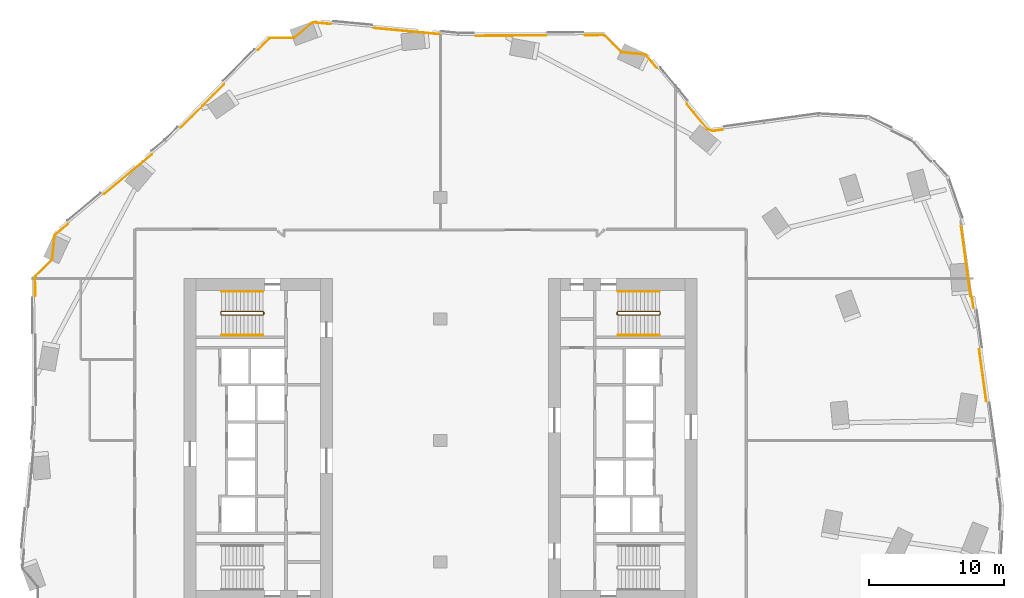
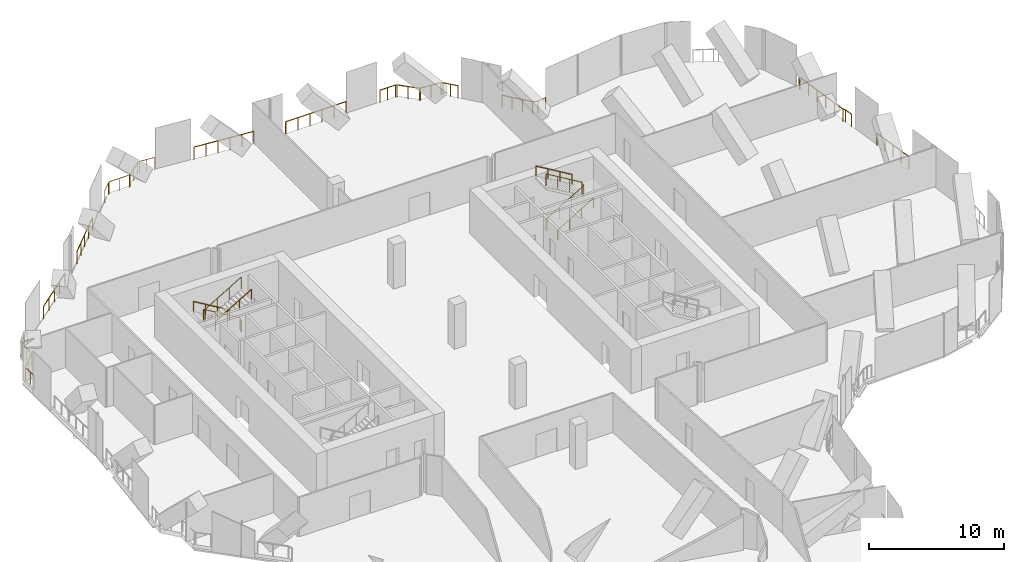
# One storey, part 28 of 29: 16 railings.
"""IFC4 building model written with IfcOpenShell, lengths in metres."""

import ifcopenshell
import ifcopenshell.guid

model = None  # the IFC model being written
_history = None  # IfcOwnerHistory: only IFC2X3 demands one
_inside = {}  # id of a spatial element -> (the spatial element, [elements in it])
_under = {}  # id of a project, library or spatial element -> (it, [spatial elements below it])
_declared = {}  # id of a project -> (the project, [libraries it declares])
_typed = {}  # id of a type object -> (the type object, [elements of that type])
_made_of = {}  # id of a material, layer set ... -> (it, [elements and type objects made of it])


def new_model(schema):
    """Start an empty IFC model of exactly this schema.

    Asked for "IFC4X3", IfcOpenShell would pick the latest addendum, in which some entities
    have other attributes; the version numbers below select the first issue.
    IFC2X3 requires an IfcOwnerHistory on every rooted entity: one is made here for all.
    """
    global model, _history
    if schema == "IFC4X3":
        model = ifcopenshell.file(schema_version=(4, 3, 0, 0))
    else:
        model = ifcopenshell.file(schema=schema)
    _inside.clear()
    _under.clear()
    _declared.clear()
    _typed.clear()
    _made_of.clear()
    _history = None
    if model.schema == "IFC2X3":
        org = make("IfcOrganization", Name="unknown")
        user = make(
            "IfcPersonAndOrganization",
            ThePerson=make("IfcPerson", FamilyName="unknown"),
            TheOrganization=org,
        )
        app = make(
            "IfcApplication",
            ApplicationDeveloper=org,
            Version="unknown",
            ApplicationFullName="unknown",
            ApplicationIdentifier="unknown",
        )
        _history = make(
            "IfcOwnerHistory",
            OwningUser=user,
            OwningApplication=app,
            ChangeAction="ADDED",
            CreationDate=0,
        )
    return model


def make(cls, **values):
    """One entity of the class cls with the attributes given. An attribute that is None is left unset."""
    return model.create_entity(
        cls, **{name: value for name, value in values.items() if value is not None}
    )


def rooted(cls, **values):
    """An entity with a GlobalId (a new one), such as an element, a storey or a relation."""
    return make(cls, GlobalId=ifcopenshell.guid.new(), OwnerHistory=_history, **values)


def si_unit(unit_type, name, prefix=None):
    """IfcSIUnit, for example si_unit("LENGTHUNIT", "METRE", prefix="MILLI")."""
    return make("IfcSIUnit", UnitType=unit_type, Prefix=prefix, Name=name)


def assignment(units):
    """IfcUnitAssignment: the units of a project."""
    return None if units is None else make("IfcUnitAssignment", Units=units)


def point(xyz):
    """IfcCartesianPoint."""
    return None if xyz is None else make("IfcCartesianPoint", Coordinates=xyz)


def direction(xyz):
    """IfcDirection."""
    return None if xyz is None else make("IfcDirection", DirectionRatios=xyz)


def frame(location, z_axis=None, x_axis=None):
    """IfcAxis2Placement3D, a coordinate frame: its origin and axes. An axis left out is left unset."""
    return make(
        "IfcAxis2Placement3D",
        Location=point(location),
        Axis=direction(z_axis),
        RefDirection=direction(x_axis),
    )


def frame_2d(location, x_axis=None):
    """IfcAxis2Placement2D, a coordinate frame in the plane: its origin and x axis."""
    return make(
        "IfcAxis2Placement2D", Location=point(location), RefDirection=direction(x_axis)
    )


def origin():
    """The frame at (0, 0, 0) with its axes left unset."""
    return frame((0.0, 0.0, 0.0))


def origin_2d():
    """The frame at (0, 0) in the plane with its x axis left unset."""
    return frame_2d((0.0, 0.0))


def place(relative_to, where):
    """IfcLocalPlacement: puts the frame where relative to a parent placement (None: the world)."""
    return make(
        "IfcLocalPlacement", PlacementRelTo=relative_to, RelativePlacement=where
    )


def context(
    kind, dimensions, precision=None, world=None, true_north=None, identifier=None
):
    """IfcGeometricRepresentationContext, for example the 3D "Model" context."""
    return make(
        "IfcGeometricRepresentationContext",
        ContextIdentifier=identifier,
        ContextType=kind,
        CoordinateSpaceDimension=dimensions,
        Precision=precision,
        WorldCoordinateSystem=world,
        TrueNorth=true_north,
    )


def subcontext(parent, identifier, kind, view, scale=None):
    """IfcGeometricRepresentationSubContext, for example "Body" below "Model"."""
    return make(
        "IfcGeometricRepresentationSubContext",
        ContextIdentifier=identifier,
        ContextType=kind,
        ParentContext=parent,
        TargetScale=scale,
        TargetView=view,
    )


def project(units=None, contexts=None):
    """IfcProject with its units and contexts."""
    return rooted(
        "IfcProject",
        Name="project",
        RepresentationContexts=contexts,
        UnitsInContext=assignment(units),
    )


def spatial(cls, under=None, at=None, **own):
    """A site, building, storey or space (cls), placed at a placement, below another one or the project."""
    s = rooted(cls, ObjectPlacement=at, **own)
    if under is not None:
        _under.setdefault(under.id(), (under, []))[1].append(s)
    return s


def profile(cls, at=None, kind="AREA", **sizes):
    """A parametric profile (cls). Its sizes go by their IFC names, for example OverallWidth=200.0."""
    return make(cls, ProfileType=kind, Position=at, **sizes)


def circle(**sizes):
    """IfcCircleProfileDef."""
    return profile("IfcCircleProfileDef", **sizes)


def extrude(swept, where, along, depth):
    """IfcExtrudedAreaSolid: the profile swept, set in the frame where, extruded along a direction by depth."""
    return make(
        "IfcExtrudedAreaSolid",
        SweptArea=swept,
        Position=where,
        ExtrudedDirection=direction(along),
        Depth=depth,
    )


def shape(context_of_items, identifier, shape_type, items):
    """IfcShapeRepresentation: the items that make up one representation, for example the "Body"."""
    return make(
        "IfcShapeRepresentation",
        ContextOfItems=context_of_items,
        RepresentationIdentifier=identifier,
        RepresentationType=shape_type,
        Items=items,
    )


def material(Name=None, Category=None):
    """IfcMaterial."""
    return make("IfcMaterial", Name=Name, Category=Category)


def made_of(thing, what):
    """Note that an element or type object is made of a material, layer set ...; save() writes the relation."""
    if what is not None:
        _made_of.setdefault(what.id(), (what, []))[1].append(thing)
    return thing


def type_object(cls, material=None, **own):
    """A type object (cls), such as IfcWallType, which elements share."""
    return made_of(rooted(cls, **own), material)


def element(
    cls,
    number,
    at=None,
    inside=None,
    cuts=None,
    type_object=None,
    material=None,
    context=None,
    identifier="Body",
    shape_type=None,
    held_by="IfcProductDefinitionShape",
    body=None,
    shapes=None,
    **own,
):
    """One element of the class cls, such as IfcWall. Its Tag is "e" and its number.

    at: its placement. inside: the storey or other place that contains it. cuts: it is an
    opening in that element (IfcRelVoidsElement). A single representation is given by context,
    identifier, shape_type and body (its items); several are given by shapes. held_by: the class
    of the entity that holds the representations. save() writes the other relations.
    """
    e = rooted(cls, Tag="e%d" % number, ObjectPlacement=at, **own)
    if body is not None:
        shapes = [shape(context, identifier, shape_type, body)]
    if shapes is not None:
        e.Representation = make(held_by, Representations=shapes)
    if inside is not None:
        _inside.setdefault(inside.id(), (inside, []))[1].append(e)
    if cuts is not None:
        rooted(
            "IfcRelVoidsElement", RelatingBuildingElement=cuts, RelatedOpeningElement=e
        )
    if type_object is not None:
        _typed.setdefault(type_object.id(), (type_object, []))[1].append(e)
    return made_of(e, material)


def aggregate(whole, parts):
    """IfcRelAggregates: a whole, such as a stair, and the parts it consists of."""
    return rooted("IfcRelAggregates", RelatingObject=whole, RelatedObjects=parts)


def save(model, path):
    """Write the relations noted so far, then the file.

    IfcRelAggregates (storeys below a building ...), IfcRelContainedInSpatialStructure (elements
    in a storey), IfcRelDefinesByType, IfcRelAssociatesMaterial and IfcRelDeclares: one each for
    every whole, place, type object, material and project.
    """
    for whole, parts in _under.values():
        aggregate(whole, parts)
    for where, things in _inside.values():
        rooted(
            "IfcRelContainedInSpatialStructure",
            RelatedElements=things,
            RelatingStructure=where,
        )
    for kind, things in _typed.values():
        rooted("IfcRelDefinesByType", RelatedObjects=things, RelatingType=kind)
    for what, things in _made_of.values():
        rooted("IfcRelAssociatesMaterial", RelatedObjects=things, RelatingMaterial=what)
    for by, libraries in _declared.values():
        rooted("IfcRelDeclares", RelatingContext=by, RelatedDefinitions=libraries)
    model.write(path)


model = new_model("IFC4")

# Units and contexts
model_context = context("Model", 3, precision=1e-05, world=origin(), true_north=direction((0.0, 1.0)))
body_context = subcontext(model_context, "Body", "Model", "MODEL_VIEW")
ifc_project = project(units=[si_unit("LENGTHUNIT", "METRE"), si_unit("AREAUNIT", "SQUARE_METRE"), si_unit("VOLUMEUNIT", "CUBIC_METRE"), si_unit("PLANEANGLEUNIT", "RADIAN"), si_unit("MASSUNIT", "GRAM", prefix="KILO")], contexts=[model_context])

# Site, building, storey
site_placement = place(None, origin())
site = spatial("IfcSite", under=ifc_project, at=site_placement, CompositionType="ELEMENT")
building_placement = place(site_placement, origin())
building = spatial("IfcBuilding", under=site, at=building_placement, Name="Orlundy Tower", CompositionType="ELEMENT")
storey_placement = place(building_placement, frame((0.0, 0.0, 184.60009765625)))
storey = spatial("IfcBuildingStorey", under=building, at=storey_placement, Name="L48", CompositionType="ELEMENT", Elevation=184.60009765625)

# Railings
ifc_material_1 = material(Name="Steel balustrade", Category="steel")
railing_type_1 = type_object("IfcRailingType", Name="Stair Guard 1100", PredefinedType="GUARDRAIL", material=ifc_material_1)
railing_1_placement = place(storey_placement, frame((-13.090087890625, 9.5, 0.0)))
element("IfcRailing", 1, at=railing_1_placement, inside=storey, type_object=railing_type_1, Name="L48 ST-W1 stair guard 1", PredefinedType="GUARDRAIL", context=body_context, shape_type="SweptSolid", body=[
    extrude(circle(Radius=0.02392578125, at=origin_2d()), frame((0.0, 0.0, 1.076171875), z_axis=(0.0, -1.0, 0.0), x_axis=(1.0, 0.0, 0.0)), (0.0, 0.0, 1.0), 0.14990234375),
    extrude(circle(Radius=0.02392578125, at=origin_2d()), frame((0.0, -0.14990234375, 1.076171875), z_axis=(-0.187996396626, 0.754750239394, 0.628497757347), x_axis=(-0.970351222016, -0.241699205484, 0.0)), (0.0, 0.0, 1.0), 0.264892578125),
    extrude(circle(Radius=0.02392578125, at=origin_2d()), frame((-0.0498046875, 0.050048828125, 1.24267578125), z_axis=(-0.85927862911, 0.0, 0.511507807912), x_axis=(0.0, -1.0, 0.0)), (0.0, 0.0, 1.0), 3.58447265625),
    extrude(circle(Radius=0.02392578125, at=origin_2d()), frame((-3.1298828125, 0.050048828125, 3.076171875), z_axis=(-0.707106781187, -0.707106781187, 0.0), x_axis=(0.707106781187, -0.707106781187, 0.0)), (0.0, 0.0, 1.0), 0.07080078125),
    extrude(circle(Radius=0.02392578125, at=origin_2d()), frame((-3.179931640625, 0.0, 3.076171875), z_axis=(0.0, -1.0, 0.0), x_axis=(1.0, 0.0, 0.0)), (0.0, 0.0, 1.0), 0.14990234375),
    extrude(circle(Radius=0.02392578125, at=origin_2d()), frame((-3.179931640625, -0.14990234375, 3.076171875), z_axis=(0.27662974545, -0.27662974545, 0.920299933644), x_axis=(0.707106781187, 0.707106781187, 0.0)), (0.0, 0.0, 1.0), 0.180908203125),
    extrude(circle(Radius=0.02392578125, at=origin_2d()), frame((-3.1298828125, -0.199951171875, 3.24267578125), z_axis=(0.85927862911, 0.0, 0.511507807912), x_axis=(0.0, 1.0, 0.0)), (0.0, 0.0, 1.0), 3.58447265625),
    extrude(circle(Radius=0.02099609375, at=origin_2d()), origin(), (0.0, 0.0, 1.0), 1.052001953125),
    extrude(circle(Radius=0.02099609375, at=origin_2d()), frame((0.0, -0.14990234375, 0.0)), (0.0, 0.0, 1.0), 1.052001953125),
    extrude(circle(Radius=0.02099609375, at=origin_2d()), frame((-0.0498046875, 0.050048828125, 0.16650390625)), (0.0, 0.0, 1.0), 1.052001953125),
    extrude(circle(Radius=0.02099609375, at=origin_2d()), frame((-1.076416015625, 0.050048828125, 0.777587890625)), (0.0, 0.0, 1.0), 1.052001953125),
    extrude(circle(Radius=0.02099609375, at=origin_2d()), frame((-2.103271484375, 0.050048828125, 1.388916015625)), (0.0, 0.0, 1.0), 1.052001953125),
    extrude(circle(Radius=0.02099609375, at=origin_2d()), frame((-3.1298828125, 0.050048828125, 2.0)), (0.0, 0.0, 1.0), 1.052001953125),
    extrude(circle(Radius=0.02099609375, at=origin_2d()), frame((-3.179931640625, 0.0, 2.0)), (0.0, 0.0, 1.0), 1.052001953125),
    extrude(circle(Radius=0.02099609375, at=origin_2d()), frame((-3.179931640625, -0.14990234375, 2.0)), (0.0, 0.0, 1.0), 1.052001953125),
    extrude(circle(Radius=0.02099609375, at=origin_2d()), frame((-3.1298828125, -0.199951171875, 2.16650390625)), (0.0, 0.0, 1.0), 1.052001953125),
    extrude(circle(Radius=0.02099609375, at=origin_2d()), frame((-2.103271484375, -0.199951171875, 2.777587890625)), (0.0, 0.0, 1.0), 1.052001953125),
    extrude(circle(Radius=0.02099609375, at=origin_2d()), frame((-1.076416015625, -0.199951171875, 3.388916015625)), (0.0, 0.0, 1.0), 1.052001953125),
    extrude(circle(Radius=0.02099609375, at=origin_2d()), frame((-0.0498046875, -0.199951171875, 4.0)), (0.0, 0.0, 1.0), 1.052001953125),
])
railing_2_placement = place(storey_placement, frame((13.090087890625, 9.35009765625, 0.0)))
element("IfcRailing", 2, at=railing_2_placement, inside=storey, type_object=railing_type_1, Name="L48 ST-E2 stair guard 1", PredefinedType="GUARDRAIL", context=body_context, shape_type="SweptSolid", body=[
    extrude(circle(Radius=0.02392578125, at=origin_2d()), frame((0.0, 0.0, 1.076171875), z_axis=(0.0, 1.0, 0.0), x_axis=(-1.0, 0.0, 0.0)), (0.0, 0.0, 1.0), 0.14990234375),
    extrude(circle(Radius=0.02392578125, at=origin_2d()), frame((0.0, 0.14990234375, 1.076171875), z_axis=(0.187996396626, -0.754750239394, 0.628497757347), x_axis=(0.970351222016, 0.241699205484, 0.0)), (0.0, 0.0, 1.0), 0.264892578125),
    extrude(circle(Radius=0.02392578125, at=origin_2d()), frame((0.0498046875, -0.050048828125, 1.24267578125), z_axis=(0.85927862911, 0.0, 0.511507807912), x_axis=(0.0, 1.0, 0.0)), (0.0, 0.0, 1.0), 3.58447265625),
    extrude(circle(Radius=0.02392578125, at=origin_2d()), frame((3.1298828125, -0.050048828125, 3.076171875), z_axis=(0.707106781187, 0.707106781187, 0.0), x_axis=(-0.707106781187, 0.707106781187, 0.0)), (0.0, 0.0, 1.0), 0.07080078125),
    extrude(circle(Radius=0.02392578125, at=origin_2d()), frame((3.179931640625, 0.0, 3.076171875), z_axis=(0.0, 1.0, 0.0), x_axis=(-1.0, 0.0, 0.0)), (0.0, 0.0, 1.0), 0.14990234375),
    extrude(circle(Radius=0.02392578125, at=origin_2d()), frame((3.179931640625, 0.14990234375, 3.076171875), z_axis=(-0.27662974545, 0.27662974545, 0.920299933644), x_axis=(-0.707106781187, -0.707106781187, 0.0)), (0.0, 0.0, 1.0), 0.180908203125),
    extrude(circle(Radius=0.02392578125, at=origin_2d()), frame((3.1298828125, 0.199951171875, 3.24267578125), z_axis=(-0.85927862911, 0.0, 0.511507807912), x_axis=(0.0, -1.0, 0.0)), (0.0, 0.0, 1.0), 3.58447265625),
    extrude(circle(Radius=0.02099609375, at=origin_2d()), origin(), (0.0, 0.0, 1.0), 1.052001953125),
    extrude(circle(Radius=0.02099609375, at=origin_2d()), frame((0.0, 0.14990234375, 0.0)), (0.0, 0.0, 1.0), 1.052001953125),
    extrude(circle(Radius=0.02099609375, at=origin_2d()), frame((0.0498046875, -0.050048828125, 0.16650390625)), (0.0, 0.0, 1.0), 1.052001953125),
    extrude(circle(Radius=0.02099609375, at=origin_2d()), frame((1.076416015625, -0.050048828125, 0.777587890625)), (0.0, 0.0, 1.0), 1.052001953125),
    extrude(circle(Radius=0.02099609375, at=origin_2d()), frame((2.103271484375, -0.050048828125, 1.388916015625)), (0.0, 0.0, 1.0), 1.052001953125),
    extrude(circle(Radius=0.02099609375, at=origin_2d()), frame((3.1298828125, -0.050048828125, 2.0)), (0.0, 0.0, 1.0), 1.052001953125),
    extrude(circle(Radius=0.02099609375, at=origin_2d()), frame((3.179931640625, 0.0, 2.0)), (0.0, 0.0, 1.0), 1.052001953125),
    extrude(circle(Radius=0.02099609375, at=origin_2d()), frame((3.179931640625, 0.14990234375, 2.0)), (0.0, 0.0, 1.0), 1.052001953125),
    extrude(circle(Radius=0.02099609375, at=origin_2d()), frame((3.1298828125, 0.199951171875, 2.16650390625)), (0.0, 0.0, 1.0), 1.052001953125),
    extrude(circle(Radius=0.02099609375, at=origin_2d()), frame((2.103271484375, 0.199951171875, 2.777587890625)), (0.0, 0.0, 1.0), 1.052001953125),
    extrude(circle(Radius=0.02099609375, at=origin_2d()), frame((1.076416015625, 0.199951171875, 3.388916015625)), (0.0, 0.0, 1.0), 1.052001953125),
    extrude(circle(Radius=0.02099609375, at=origin_2d()), frame((0.0498046875, 0.199951171875, 4.0)), (0.0, 0.0, 1.0), 1.052001953125),
])
ifc_material_2 = material(Name="Steel handrail", Category="steel")
railing_type_2 = type_object("IfcRailingType", Name="Stair Handrail 900", PredefinedType="HANDRAIL", material=ifc_material_2)
railing_3_placement = place(storey_placement, frame((-13.139892578125, 11.050048828125, 0.16650390625)))
element("IfcRailing", 3, at=railing_3_placement, inside=storey, type_object=railing_type_2, Name="L48 ST-W1 stair handrail 1", PredefinedType="HANDRAIL", context=body_context, shape_type="SweptSolid", body=[
    extrude(circle(Radius=0.02392578125, at=origin_2d()), frame((0.0, 0.0, 0.8759765625), z_axis=(-0.85927862911, 0.0, 0.511507807912), x_axis=(0.0, -1.0, 0.0)), (0.0, 0.0, 1.0), 3.58447265625),
    extrude(circle(Radius=0.02099609375, at=origin_2d()), origin(), (0.0, 0.0, 1.0), 0.851806640625),
    extrude(circle(Radius=0.02099609375, at=origin_2d()), frame((-1.026611328125, 0.0, 0.611083984375)), (0.0, 0.0, 1.0), 0.851806640625),
    extrude(circle(Radius=0.02099609375, at=origin_2d()), frame((-2.053466796875, 0.0, 1.222412109375)), (0.0, 0.0, 1.0), 0.851806640625),
    extrude(circle(Radius=0.02099609375, at=origin_2d()), frame((-3.080078125, 0.0, 1.83349609375)), (0.0, 0.0, 1.0), 0.851806640625),
])
for number, where, name in (
    (4, (-16.219970703125, 7.800048828125, 2.16650390625), "L48 ST-W1 stair handrail 2"),
    (5, (13.139892578125, 7.800048828125, 0.16650390625), "L48 ST-E2 stair handrail 1"),
):
    element("IfcRailing", number, at=place(storey_placement, frame(where)), inside=storey, type_object=railing_type_2, Name=name, PredefinedType="HANDRAIL", context=body_context, shape_type="SweptSolid", body=[
        extrude(circle(Radius=0.02392578125, at=origin_2d()), frame((0.0, 0.0, 0.8759765625), z_axis=(0.85927862911, 0.0, 0.511507807912), x_axis=(0.0, 1.0, 0.0)), (0.0, 0.0, 1.0), 3.58447265625),
        extrude(circle(Radius=0.02099609375, at=origin_2d()), origin(), (0.0, 0.0, 1.0), 0.851806640625),
        extrude(circle(Radius=0.02099609375, at=origin_2d()), frame((1.026611328125, 0.0, 0.611083984375)), (0.0, 0.0, 1.0), 0.851806640625),
        extrude(circle(Radius=0.02099609375, at=origin_2d()), frame((2.053466796875, 0.0, 1.222412109375)), (0.0, 0.0, 1.0), 0.851806640625),
        extrude(circle(Radius=0.02099609375, at=origin_2d()), frame((3.080078125, 0.0, 1.83349609375)), (0.0, 0.0, 1.0), 0.851806640625),
    ])
railing_4_placement = place(storey_placement, frame((16.219970703125, 11.050048828125, 2.16650390625)))
element("IfcRailing", 6, at=railing_4_placement, inside=storey, type_object=railing_type_2, Name="L48 ST-E2 stair handrail 2", PredefinedType="HANDRAIL", context=body_context, shape_type="SweptSolid", body=[
    extrude(circle(Radius=0.02392578125, at=origin_2d()), frame((0.0, 0.0, 0.8759765625), z_axis=(-0.85927862911, 0.0, 0.511507807912), x_axis=(0.0, -1.0, 0.0)), (0.0, 0.0, 1.0), 3.58447265625),
    extrude(circle(Radius=0.02099609375, at=origin_2d()), origin(), (0.0, 0.0, 1.0), 0.851806640625),
    extrude(circle(Radius=0.02099609375, at=origin_2d()), frame((-1.026611328125, 0.0, 0.611083984375)), (0.0, 0.0, 1.0), 0.851806640625),
    extrude(circle(Radius=0.02099609375, at=origin_2d()), frame((-2.053466796875, 0.0, 1.222412109375)), (0.0, 0.0, 1.0), 0.851806640625),
    extrude(circle(Radius=0.02099609375, at=origin_2d()), frame((-3.080078125, 0.0, 1.83349609375)), (0.0, 0.0, 1.0), 0.851806640625),
])
ifc_material_3 = material(Name="Stainless steel bronze finish", Category="steel")
railing_type_3 = type_object("IfcRailingType", Name="TG1 terrace guard", PredefinedType="GUARDRAIL", material=ifc_material_3)
railing_5_placement = place(storey_placement, frame((10.722412109375, 30.023193359375, 0.0)))
element("IfcRailing", 7, at=railing_5_placement, inside=storey, type_object=railing_type_3, Name="Guard TG-L48-E02", PredefinedType="GUARDRAIL", context=body_context, shape_type="SweptSolid", body=[
    extrude(circle(Radius=0.02490234375, at=origin_2d()), frame((0.0, 0.0, 1.09521484375), z_axis=(0.99998380548, 0.005691114002, 0.0), x_axis=(-0.005691114002, 0.99998380548, 0.0)), (0.0, 0.0, 1.0), 1.329833984375),
    extrude(circle(Radius=0.02490234375, at=origin_2d()), frame((1.329833984375, 0.007568359375, 1.09521484375), z_axis=(0.93436223812, -0.356324582334, 0.0), x_axis=(0.356324582334, 0.93436223812, 0.0)), (0.0, 0.0, 1.0), 0.123291015625),
    extrude(circle(Radius=0.02490234375, at=origin_2d()), frame((1.445068359375, -0.036376953125, 1.09521484375), z_axis=(0.711173997654, -0.703016034711, 0.0), x_axis=(0.703016034711, 0.711173997654, 0.0)), (0.0, 0.0, 1.0), 1.705810546875),
    extrude(circle(Radius=0.02490234375, at=origin_2d()), frame((2.658203125, -1.235595703125, 1.09521484375), z_axis=(0.906183139995, -0.422885465331, 0.0), x_axis=(0.422885465331, 0.906183139995, 0.0)), (0.0, 0.0, 1.0), 0.080810546875),
    extrude(circle(Radius=0.02490234375, at=origin_2d()), frame((2.7314453125, -1.269775390625, 1.09521484375), z_axis=(0.995691065713, -0.09273241968, 0.0), x_axis=(0.09273241968, 0.995691065713, 0.0)), (0.0, 0.0, 1.0), 1.703369140625),
    extrude(circle(Radius=0.02490234375, at=origin_2d()), frame((4.427490234375, -1.427734375, 1.09521484375), z_axis=(0.873784020756, -0.486314183498, 0.0), x_axis=(0.486314183498, 0.873784020756, 0.0)), (0.0, 0.0, 1.0), 0.12353515625),
    extrude(circle(Radius=0.02490234375, at=origin_2d()), frame((4.535400390625, -1.48779296875, 1.09521484375), z_axis=(0.638306547029, -0.769782275724, 0.0), x_axis=(0.769782275724, 0.638306547029, 0.0)), (0.0, 0.0, 1.0), 1.203369140625),
    extrude(circle(Radius=0.02001953125, at=origin_2d()), origin(), (0.0, 0.0, 1.0), 1.070068359375),
    extrude(circle(Radius=0.02001953125, at=origin_2d()), frame((0.6650390625, 0.00390625, 0.0)), (0.0, 0.0, 1.0), 1.070068359375),
    extrude(circle(Radius=0.02001953125, at=origin_2d()), frame((1.329833984375, 0.007568359375, 0.0)), (0.0, 0.0, 1.0), 1.070068359375),
    extrude(circle(Radius=0.02001953125, at=origin_2d()), frame((1.445068359375, -0.036376953125, 0.0)), (0.0, 0.0, 1.0), 1.070068359375),
    extrude(circle(Radius=0.02001953125, at=origin_2d()), frame((2.0517578125, -0.635986328125, 0.0)), (0.0, 0.0, 1.0), 1.070068359375),
    extrude(circle(Radius=0.02001953125, at=origin_2d()), frame((2.658203125, -1.235595703125, 0.0)), (0.0, 0.0, 1.0), 1.070068359375),
    extrude(circle(Radius=0.02001953125, at=origin_2d()), frame((2.7314453125, -1.269775390625, 0.0)), (0.0, 0.0, 1.0), 1.070068359375),
    extrude(circle(Radius=0.02001953125, at=origin_2d()), frame((3.57958984375, -1.3486328125, 0.0)), (0.0, 0.0, 1.0), 1.070068359375),
    extrude(circle(Radius=0.02001953125, at=origin_2d()), frame((4.427490234375, -1.427734375, 0.0)), (0.0, 0.0, 1.0), 1.070068359375),
    extrude(circle(Radius=0.02001953125, at=origin_2d()), frame((4.535400390625, -1.48779296875, 0.0)), (0.0, 0.0, 1.0), 1.070068359375),
    extrude(circle(Radius=0.02001953125, at=origin_2d()), frame((4.91943359375, -1.950927734375, 0.0)), (0.0, 0.0, 1.0), 1.070068359375),
    extrude(circle(Radius=0.02001953125, at=origin_2d()), frame((5.303466796875, -2.4140625, 0.0)), (0.0, 0.0, 1.0), 1.070068359375),
])
railing_6_placement = place(storey_placement, frame((-30.023193359375, 10.722412109375, 0.0)))
element("IfcRailing", 8, at=railing_6_placement, inside=storey, type_object=railing_type_3, Name="Guard TG-L48-E03", PredefinedType="GUARDRAIL", context=body_context, shape_type="SweptSolid", body=[
    extrude(circle(Radius=0.02490234375, at=origin_2d()), frame((0.0, 0.0, 1.09521484375), z_axis=(-0.005691114002, 0.99998380548, 0.0), x_axis=(-0.99998380548, -0.005691114002, 0.0)), (0.0, 0.0, 1.0), 1.329833984375),
    extrude(circle(Radius=0.02490234375, at=origin_2d()), frame((-0.007568359375, 1.329833984375, 1.09521484375), z_axis=(0.356324582334, 0.93436223812, 0.0), x_axis=(-0.93436223812, 0.356324582334, 0.0)), (0.0, 0.0, 1.0), 0.123291015625),
    extrude(circle(Radius=0.02490234375, at=origin_2d()), frame((0.036376953125, 1.445068359375, 1.09521484375), z_axis=(0.703016034711, 0.711173997654, 0.0), x_axis=(-0.711173997654, 0.703016034711, 0.0)), (0.0, 0.0, 1.0), 1.705810546875),
    extrude(circle(Radius=0.02490234375, at=origin_2d()), frame((1.235595703125, 2.658203125, 1.09521484375), z_axis=(0.422885465331, 0.906183139995, 0.0), x_axis=(-0.906183139995, 0.422885465331, 0.0)), (0.0, 0.0, 1.0), 0.080810546875),
    extrude(circle(Radius=0.02490234375, at=origin_2d()), frame((1.269775390625, 2.7314453125, 1.09521484375), z_axis=(0.09273241968, 0.995691065713, 0.0), x_axis=(-0.995691065713, 0.09273241968, 0.0)), (0.0, 0.0, 1.0), 1.703369140625),
    extrude(circle(Radius=0.02490234375, at=origin_2d()), frame((1.427734375, 4.427490234375, 1.09521484375), z_axis=(0.486314183498, 0.873784020756, 0.0), x_axis=(-0.873784020756, 0.486314183498, 0.0)), (0.0, 0.0, 1.0), 0.12353515625),
    extrude(circle(Radius=0.02490234375, at=origin_2d()), frame((1.48779296875, 4.535400390625, 1.09521484375), z_axis=(0.769699589925, 0.638406250963, 0.0), x_axis=(-0.638406250963, 0.769699589925, 0.0)), (0.0, 0.0, 1.0), 1.203125),
    extrude(circle(Radius=0.02001953125, at=origin_2d()), origin(), (0.0, 0.0, 1.0), 1.070068359375),
    extrude(circle(Radius=0.02001953125, at=origin_2d()), frame((-0.00390625, 0.6650390625, 0.0)), (0.0, 0.0, 1.0), 1.070068359375),
    extrude(circle(Radius=0.02001953125, at=origin_2d()), frame((-0.007568359375, 1.329833984375, 0.0)), (0.0, 0.0, 1.0), 1.070068359375),
    extrude(circle(Radius=0.02001953125, at=origin_2d()), frame((0.036376953125, 1.445068359375, 0.0)), (0.0, 0.0, 1.0), 1.070068359375),
    extrude(circle(Radius=0.02001953125, at=origin_2d()), frame((0.635986328125, 2.0517578125, 0.0)), (0.0, 0.0, 1.0), 1.070068359375),
    extrude(circle(Radius=0.02001953125, at=origin_2d()), frame((1.235595703125, 2.658203125, 0.0)), (0.0, 0.0, 1.0), 1.070068359375),
    extrude(circle(Radius=0.02001953125, at=origin_2d()), frame((1.269775390625, 2.7314453125, 0.0)), (0.0, 0.0, 1.0), 1.070068359375),
    extrude(circle(Radius=0.02001953125, at=origin_2d()), frame((1.3486328125, 3.57958984375, 0.0)), (0.0, 0.0, 1.0), 1.070068359375),
    extrude(circle(Radius=0.02001953125, at=origin_2d()), frame((1.427734375, 4.427490234375, 0.0)), (0.0, 0.0, 1.0), 1.070068359375),
    extrude(circle(Radius=0.02001953125, at=origin_2d()), frame((1.48779296875, 4.535400390625, 0.0)), (0.0, 0.0, 1.0), 1.070068359375),
    extrude(circle(Radius=0.02001953125, at=origin_2d()), frame((1.95068359375, 4.91943359375, 0.0)), (0.0, 0.0, 1.0), 1.070068359375),
    extrude(circle(Radius=0.02001953125, at=origin_2d()), frame((2.413818359375, 5.303466796875, 0.0)), (0.0, 0.0, 1.0), 1.070068359375),
])
railing_7_placement = place(storey_placement, frame((38.572021484375, 15.905517578125, 0.0)))
element("IfcRailing", 9, at=railing_7_placement, inside=storey, type_object=railing_type_3, Name="Guard TG-L48-E04", PredefinedType="GUARDRAIL", context=body_context, shape_type="SweptSolid", body=[
    extrude(circle(Radius=0.02490234375, at=origin_2d()), frame((0.0, 0.0, 1.09521484375), z_axis=(0.136302204881, -0.990667304873, 0.0), x_axis=(0.990667304873, 0.136302204881, 0.0)), (0.0, 0.0, 1.0), 5.25),
    extrude(circle(Radius=0.02490234375, at=origin_2d()), frame((0.715576171875, -5.200927734375, 1.09521484375), z_axis=(0.494184659821, -0.869356958906, 0.0), x_axis=(0.869356958906, 0.494184659821, 0.0)), (0.0, 0.0, 1.0), 0.21533203125),
    extrude(circle(Radius=0.02490234375, at=origin_2d()), frame((0.822021484375, -5.38818359375, 1.09521484375), z_axis=(0.136243538075, -0.990675374849, 0.0), x_axis=(0.990675374849, 0.136243538075, 0.0)), (0.0, 0.0, 1.0), 0.713134765625),
    extrude(circle(Radius=0.02001953125, at=origin_2d()), origin(), (0.0, 0.0, 1.0), 1.070068359375),
    extrude(circle(Radius=0.02001953125, at=origin_2d()), frame((0.14306640625, -1.040283203125, 0.0)), (0.0, 0.0, 1.0), 1.070068359375),
    extrude(circle(Radius=0.02001953125, at=origin_2d()), frame((0.2861328125, -2.080322265625, 0.0)), (0.0, 0.0, 1.0), 1.070068359375),
    extrude(circle(Radius=0.02001953125, at=origin_2d()), frame((0.429443359375, -3.12060546875, 0.0)), (0.0, 0.0, 1.0), 1.070068359375),
    extrude(circle(Radius=0.02001953125, at=origin_2d()), frame((0.572509765625, -4.16064453125, 0.0)), (0.0, 0.0, 1.0), 1.070068359375),
    extrude(circle(Radius=0.02001953125, at=origin_2d()), frame((0.715576171875, -5.200927734375, 0.0)), (0.0, 0.0, 1.0), 1.070068359375),
    extrude(circle(Radius=0.02001953125, at=origin_2d()), frame((0.822021484375, -5.38818359375, 0.0)), (0.0, 0.0, 1.0), 1.070068359375),
    extrude(circle(Radius=0.02001953125, at=origin_2d()), frame((0.919189453125, -6.0947265625, 0.0)), (0.0, 0.0, 1.0), 1.070068359375),
])
railing_8_placement = place(storey_placement, frame((-13.5205078125, 28.93994140625, 0.0)))
element("IfcRailing", 10, at=railing_8_placement, inside=storey, type_object=railing_type_3, Name="Guard TG-L48-E06", PredefinedType="GUARDRAIL", context=body_context, shape_type="SweptSolid", body=[
    extrude(circle(Radius=0.02490234375, at=origin_2d()), frame((0.0, 0.0, 1.09521484375), z_axis=(0.703055914395, 0.711134573224, 0.0), x_axis=(-0.711134573224, 0.703055914395, 0.0)), (0.0, 0.0, 1.0), 1.1484375),
    extrude(circle(Radius=0.02490234375, at=origin_2d()), frame((0.807373046875, 0.816650390625, 1.09521484375), z_axis=(0.913321759252, 0.407238706506, 0.0), x_axis=(-0.407238706506, 0.913321759252, 0.0)), (0.0, 0.0, 1.0), 0.12353515625),
    extrude(circle(Radius=0.02490234375, at=origin_2d()), frame((0.920166015625, 0.866943359375, 1.09521484375), z_axis=(0.9999827687, 0.005870460126, 0.0), x_axis=(-0.005870460126, 0.9999827687, 0.0)), (0.0, 0.0, 1.0), 1.705078125),
    extrude(circle(Radius=0.02490234375, at=origin_2d()), frame((2.625244140625, 0.876953125, 1.09521484375), z_axis=(0.939881629459, 0.341500399128, 0.0), x_axis=(-0.341500399128, 0.939881629459, 0.0)), (0.0, 0.0, 1.0), 0.080810546875),
    extrude(circle(Radius=0.02490234375, at=origin_2d()), frame((2.701171875, 0.904541015625, 1.09521484375), z_axis=(0.769721911673, 0.638379337612, 0.0), x_axis=(-0.638379337612, 0.769721911673, 0.0)), (0.0, 0.0, 1.0), 1.70458984375),
    extrude(circle(Radius=0.02490234375, at=origin_2d()), frame((4.01318359375, 1.99267578125, 1.09521484375), z_axis=(0.961449259663, 0.274982401426, 0.0), x_axis=(-0.274982401426, 0.961449259663, 0.0)), (0.0, 0.0, 1.0), 0.123291015625),
    extrude(circle(Radius=0.02490234375, at=origin_2d()), frame((4.1318359375, 2.026611328125, 1.09521484375), z_axis=(0.995666041891, -0.093000715187, 0.0), x_axis=(0.093000715187, 0.995666041891, 0.0)), (0.0, 0.0, 1.0), 1.26806640625),
    extrude(circle(Radius=0.02001953125, at=origin_2d()), origin(), (0.0, 0.0, 1.0), 1.070068359375),
    extrude(circle(Radius=0.02001953125, at=origin_2d()), frame((0.807373046875, 0.816650390625, 0.0)), (0.0, 0.0, 1.0), 1.070068359375),
    extrude(circle(Radius=0.02001953125, at=origin_2d()), frame((0.920166015625, 0.866943359375, 0.0)), (0.0, 0.0, 1.0), 1.070068359375),
    extrude(circle(Radius=0.02001953125, at=origin_2d()), frame((1.772705078125, 0.8720703125, 0.0)), (0.0, 0.0, 1.0), 1.070068359375),
    extrude(circle(Radius=0.02001953125, at=origin_2d()), frame((2.625244140625, 0.876953125, 0.0)), (0.0, 0.0, 1.0), 1.070068359375),
    extrude(circle(Radius=0.02001953125, at=origin_2d()), frame((2.701171875, 0.904541015625, 0.0)), (0.0, 0.0, 1.0), 1.070068359375),
    extrude(circle(Radius=0.02001953125, at=origin_2d()), frame((3.357177734375, 1.44873046875, 0.0)), (0.0, 0.0, 1.0), 1.070068359375),
    extrude(circle(Radius=0.02001953125, at=origin_2d()), frame((4.01318359375, 1.99267578125, 0.0)), (0.0, 0.0, 1.0), 1.070068359375),
    extrude(circle(Radius=0.02001953125, at=origin_2d()), frame((4.1318359375, 2.026611328125, 0.0)), (0.0, 0.0, 1.0), 1.070068359375),
    extrude(circle(Radius=0.02001953125, at=origin_2d()), frame((4.76318359375, 1.9677734375, 0.0)), (0.0, 0.0, 1.0), 1.070068359375),
    extrude(circle(Radius=0.02001953125, at=origin_2d()), frame((5.394287109375, 1.90869140625, 0.0)), (0.0, 0.0, 1.0), 1.070068359375),
])
railing_9_placement = place(storey_placement, frame((2.615966796875, 29.9755859375, 0.0)))
element("IfcRailing", 11, at=railing_9_placement, inside=storey, type_object=railing_type_3, Name="Guard TG-L48-E09", PredefinedType="GUARDRAIL", context=body_context, shape_type="SweptSolid", body=[
    extrude(circle(Radius=0.02490234375, at=origin_2d()), frame((0.0, 0.0, 1.09521484375), z_axis=(0.999982678224, 0.005885851805, 0.0), x_axis=(-0.005885851805, 0.999982678224, 0.0)), (0.0, 0.0, 1.0), 5.184814453125),
    extrude(circle(Radius=0.02001953125, at=origin_2d()), origin(), (0.0, 0.0, 1.0), 1.070068359375),
    extrude(circle(Radius=0.02001953125, at=origin_2d()), frame((1.036865234375, 0.006103515625, 0.0)), (0.0, 0.0, 1.0), 1.070068359375),
    extrude(circle(Radius=0.02001953125, at=origin_2d()), frame((2.073974609375, 0.01220703125, 0.0)), (0.0, 0.0, 1.0), 1.070068359375),
    extrude(circle(Radius=0.02001953125, at=origin_2d()), frame((3.11083984375, 0.018310546875, 0.0)), (0.0, 0.0, 1.0), 1.070068359375),
    extrude(circle(Radius=0.02001953125, at=origin_2d()), frame((4.14794921875, 0.0244140625, 0.0)), (0.0, 0.0, 1.0), 1.070068359375),
    extrude(circle(Radius=0.02001953125, at=origin_2d()), frame((5.184814453125, 0.030517578125, 0.0)), (0.0, 0.0, 1.0), 1.070068359375),
])
railing_10_placement = place(storey_placement, frame((-4.910888671875, 30.548583984375, 0.0)))
element("IfcRailing", 12, at=railing_10_placement, inside=storey, type_object=railing_type_3, Name="Guard TG-L48-E012", PredefinedType="GUARDRAIL", context=body_context, shape_type="SweptSolid", body=[
    extrude(circle(Radius=0.02490234375, at=origin_2d()), frame((0.0, 0.0, 1.09521484375), z_axis=(0.995668185367, -0.092977764268, 0.0), x_axis=(0.092977764268, 0.995668185367, 0.0)), (0.0, 0.0, 1.0), 4.876220703125),
    extrude(circle(Radius=0.02001953125, at=origin_2d()), origin(), (0.0, 0.0, 1.0), 1.070068359375),
    extrude(circle(Radius=0.02001953125, at=origin_2d()), frame((0.970947265625, -0.090576171875, 0.0)), (0.0, 0.0, 1.0), 1.070068359375),
    extrude(circle(Radius=0.02001953125, at=origin_2d()), frame((1.94189453125, -0.181396484375, 0.0)), (0.0, 0.0, 1.0), 1.070068359375),
    extrude(circle(Radius=0.02001953125, at=origin_2d()), frame((2.9130859375, -0.27197265625, 0.0)), (0.0, 0.0, 1.0), 1.070068359375),
    extrude(circle(Radius=0.02001953125, at=origin_2d()), frame((3.884033203125, -0.36279296875, 0.0)), (0.0, 0.0, 1.0), 1.070068359375),
    extrude(circle(Radius=0.02001953125, at=origin_2d()), frame((4.85498046875, -0.453369140625, 0.0)), (0.0, 0.0, 1.0), 1.070068359375),
])
railing_11_placement = place(storey_placement, frame((-24.927734375, 18.24951171875, 0.0)))
element("IfcRailing", 13, at=railing_11_placement, inside=storey, type_object=railing_type_3, Name="Guard TG-L48-E013", PredefinedType="GUARDRAIL", context=body_context, shape_type="SweptSolid", body=[
    extrude(circle(Radius=0.02490234375, at=origin_2d()), frame((0.0, 0.0, 1.09521484375), z_axis=(0.769780151667, 0.638309108582, 0.0), x_axis=(-0.638309108582, 0.769780151667, 0.0)), (0.0, 0.0, 1.0), 4.61474609375),
    extrude(circle(Radius=0.02001953125, at=origin_2d()), origin(), (0.0, 0.0, 1.0), 1.070068359375),
    extrude(circle(Radius=0.02001953125, at=origin_2d()), frame((0.88818359375, 0.736328125, 0.0)), (0.0, 0.0, 1.0), 1.070068359375),
    extrude(circle(Radius=0.02001953125, at=origin_2d()), frame((1.776123046875, 1.47265625, 0.0)), (0.0, 0.0, 1.0), 1.070068359375),
    extrude(circle(Radius=0.02001953125, at=origin_2d()), frame((2.6640625, 2.209228515625, 0.0)), (0.0, 0.0, 1.0), 1.070068359375),
    extrude(circle(Radius=0.02001953125, at=origin_2d()), frame((3.55224609375, 2.945556640625, 0.0)), (0.0, 0.0, 1.0), 1.070068359375),
])
railing_12_placement = place(storey_placement, frame((-19.214599609375, 23.17919921875, 0.0)))
element("IfcRailing", 14, at=railing_12_placement, inside=storey, type_object=railing_type_3, Name="Guard TG-L48-E015", PredefinedType="GUARDRAIL", context=body_context, shape_type="SweptSolid", body=[
    extrude(circle(Radius=0.02490234375, at=origin_2d()), frame((0.0, 0.0, 1.09521484375), z_axis=(0.703000778658, 0.711189078379, 0.0), x_axis=(-0.711189078379, 0.703000778658, 0.0)), (0.0, 0.0, 1.0), 4.502197265625),
    extrude(circle(Radius=0.02001953125, at=origin_2d()), origin(), (0.0, 0.0, 1.0), 1.070068359375),
    extrude(circle(Radius=0.02001953125, at=origin_2d()), frame((0.791259765625, 0.800537109375, 0.0)), (0.0, 0.0, 1.0), 1.070068359375),
    extrude(circle(Radius=0.02001953125, at=origin_2d()), frame((1.58251953125, 1.60107421875, 0.0)), (0.0, 0.0, 1.0), 1.070068359375),
    extrude(circle(Radius=0.02001953125, at=origin_2d()), frame((2.373779296875, 2.4013671875, 0.0)), (0.0, 0.0, 1.0), 1.070068359375),
    extrude(circle(Radius=0.02001953125, at=origin_2d()), frame((3.1650390625, 3.201904296875, 0.0)), (0.0, 0.0, 1.0), 1.070068359375),
])
railing_13_placement = place(storey_placement, frame((39.91455078125, 6.734619140625, 0.0)))
element("IfcRailing", 15, at=railing_13_placement, inside=storey, type_object=railing_type_3, Name="Guard TG-L48-E018", PredefinedType="GUARDRAIL", context=body_context, shape_type="SweptSolid", body=[
    extrude(circle(Radius=0.02490234375, at=origin_2d()), frame((0.0, 0.0, 1.09521484375), z_axis=(0.136257974331, -0.990673389383, 0.0), x_axis=(0.990673389383, 0.136257974331, 0.0)), (0.0, 0.0, 1.0), 3.85400390625),
    extrude(circle(Radius=0.02001953125, at=origin_2d()), origin(), (0.0, 0.0, 1.0), 1.070068359375),
    extrude(circle(Radius=0.02001953125, at=origin_2d()), frame((0.13134765625, -0.95458984375, 0.0)), (0.0, 0.0, 1.0), 1.070068359375),
    extrude(circle(Radius=0.02001953125, at=origin_2d()), frame((0.2626953125, -1.9091796875, 0.0)), (0.0, 0.0, 1.0), 1.070068359375),
    extrude(circle(Radius=0.02001953125, at=origin_2d()), frame((0.393798828125, -2.863525390625, 0.0)), (0.0, 0.0, 1.0), 1.070068359375),
    extrude(circle(Radius=0.02001953125, at=origin_2d()), frame((0.525146484375, -3.818115234375, 0.0)), (0.0, 0.0, 1.0), 1.070068359375),
])
railing_14_placement = place(storey_placement, frame((18.248779296875, 24.927734375, 0.0)))
element("IfcRailing", 16, at=railing_14_placement, inside=storey, type_object=railing_type_3, Name="Guard TG-L48-E023", PredefinedType="GUARDRAIL", context=body_context, shape_type="SweptSolid", body=[
    extrude(circle(Radius=0.02490234375, at=origin_2d()), frame((0.0, 0.0, 1.09521484375), z_axis=(0.638359166004, -0.769738640825, 0.0), x_axis=(0.769738640825, 0.638359166004, 0.0)), (0.0, 0.0, 1.0), 2.423095703125),
    extrude(circle(Radius=0.02490234375, at=origin_2d()), frame((1.546875, -1.865234375, 1.09521484375), z_axis=(0.931945692257, -0.362597885659, 0.0), x_axis=(0.362597885659, 0.931945692257, 0.0)), (0.0, 0.0, 1.0), 0.388427734375),
    extrude(circle(Radius=0.02490234375, at=origin_2d()), frame((1.908935546875, -2.006103515625, 1.09521484375), z_axis=(0.990709844133, 0.135992664281, 0.0), x_axis=(-0.135992664281, 0.990709844133, 0.0)), (0.0, 0.0, 1.0), 0.7431640625),
    extrude(circle(Radius=0.02001953125, at=origin_2d()), origin(), (0.0, 0.0, 1.0), 1.070068359375),
    extrude(circle(Radius=0.02001953125, at=origin_2d()), frame((0.515625, -0.621826171875, 0.0)), (0.0, 0.0, 1.0), 1.070068359375),
    extrude(circle(Radius=0.02001953125, at=origin_2d()), frame((1.03125, -1.243408203125, 0.0)), (0.0, 0.0, 1.0), 1.070068359375),
    extrude(circle(Radius=0.02001953125, at=origin_2d()), frame((1.546875, -1.865234375, 0.0)), (0.0, 0.0, 1.0), 1.070068359375),
    extrude(circle(Radius=0.02001953125, at=origin_2d()), frame((1.908935546875, -2.006103515625, 0.0)), (0.0, 0.0, 1.0), 1.070068359375),
    extrude(circle(Radius=0.02001953125, at=origin_2d()), frame((2.645263671875, -1.905029296875, 0.0)), (0.0, 0.0, 1.0), 1.070068359375),
])

save(model, "model.ifc")
